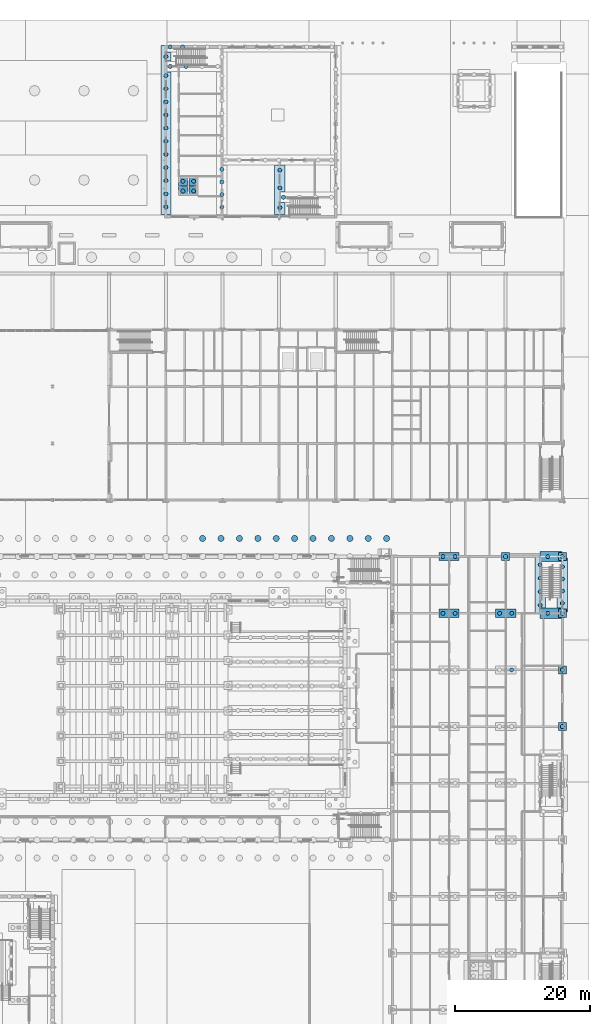
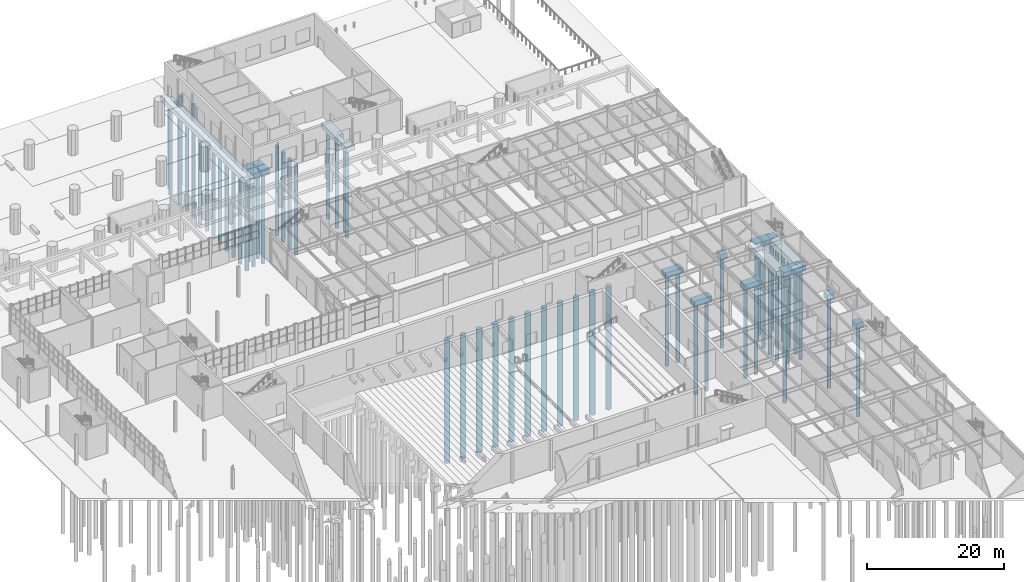
# One storey, part 15 of 127: 61 piles, 18 footings.
"""IFC4 building model written with IfcOpenShell, lengths in metres."""

from ifc_helpers import new_model, si_unit, direction, frame, origin, origin_2d, place, context, subcontext, project, spatial, polyline, circle, outline, extrude, material, layer, layer_set, material_profile, profile_set, type_object, element, save


model = new_model("IFC4")

# Units and contexts
model_context = context("Model", 3, precision=1e-05, world=origin(), true_north=direction((0.0, 1.0)))
body_context = subcontext(model_context, "Body", "Model", "MODEL_VIEW")
ifc_project = project(units=[si_unit("LENGTHUNIT", "METRE"), si_unit("AREAUNIT", "SQUARE_METRE"), si_unit("VOLUMEUNIT", "CUBIC_METRE"), si_unit("PLANEANGLEUNIT", "RADIAN"), si_unit("MASSUNIT", "GRAM", prefix="KILO")], contexts=[model_context])

# Site, building, storey
site_placement = place(None, origin())
site = spatial("IfcSite", under=ifc_project, at=site_placement, CompositionType="ELEMENT")
building_placement = place(site_placement, origin())
building = spatial("IfcBuilding", under=site, at=building_placement, Name="Ljudholm Concert House", CompositionType="ELEMENT")
storey_placement = place(building_placement, origin())
storey = spatial("IfcBuildingStorey", under=building, at=storey_placement, Name="L00", CompositionType="ELEMENT", Elevation=0.0)

# Piles
ifc_material_1 = material(Name="Concrete 5,000 psi", Category="concrete")
ifc_material_profile_1 = material_profile(ifc_material_1, circle(Radius=0.300048828125, at=origin_2d()), Name="AUGER-CAST PILE D600")
ifc_profile_set_1 = profile_set([ifc_material_profile_1], Name="Concrete 5,000 psi")
pile_type_1 = type_object("IfcPileType", Name="AUGER-CAST PILE D600", PredefinedType="BORED", material=ifc_profile_set_1)
for number, where, z_axis, x_axis, name in (
    (1, (103.89990234375, 88.0, -1.25), (0.0, 0.0, -1.0), (1.0, 0.0, 0.0), "Pile D600"),
    (2, (105.699951171875, 88.0, -1.25), (0.0, 0.0, -1.0), (1.0, 0.0, 0.0), "Pile D600"),
    (3, (103.89990234375, 96.39990234375, -1.25), (0.0, 0.0, -1.0), (1.0, 0.0, 0.0), "Pile D600"),
    (4, (105.699951171875, 96.39990234375, -1.25), (0.0, 0.0, -1.0), (1.0, 0.0, 0.0), "Pile D600"),
    (5, (114.10009765625, 79.60009765625, -1.25), (0.0, 0.0, -1.0), (1.0, 0.0, 0.0), "Pile D600"),
    (6, (112.300048828125, 88.0, -1.25), (0.0, 0.0, -1.0), (1.0, 0.0, 0.0), "Pile D600"),
    (7, (114.10009765625, 88.0, -1.25), (0.0, 0.0, -1.0), (1.0, 0.0, 0.0), "Pile D600"),
    (8, (113.199951171875, 96.39990234375, -1.25), (0.0, 0.0, -1.0), (1.0, 0.0, 0.0), "Pile D600"),
    (9, (121.60009765625, 71.199951171875, -1.25), (0.0, 0.0, -1.0), (1.0, 0.0, 0.0), "Pile D600"),
    (10, (121.60009765625, 79.60009765625, -1.25), (0.0, 0.0, -1.0), (1.0, 0.0, 0.0), "Pile D600"),
    (11, (121.60009765625, 88.0, -1.25), (0.0, 0.0, -1.0), (1.0, 0.0, 0.0), "Pile D600"),
    (12, (121.60009765625, 96.39990234375, -1.25), (0.0, 0.0, -1.0), (1.0, 0.0, 0.0), "Pile D600"),
    (13, (65.324951171875, 150.625, -2.89990234375), (0.0, 0.0, -1.0), (1.0, 0.0, 0.0), "Pile D600"),
    (14, (66.925048828125, 150.625, -2.89990234375), (0.0, 0.0, -1.0), (1.0, 0.0, 0.0), "Pile D600"),
    (15, (65.324951171875, 152.074951171875, -2.89990234375), (0.0, 0.0, -1.0), (1.0, 0.0, 0.0), "Pile D600"),
    (16, (66.925048828125, 152.074951171875, -2.89990234375), (0.0, 0.0, -1.0), (1.0, 0.0, 0.0), "Pile D600"),
    (17, (119.4375, 88.0, -1.14990234375), (0.0, 0.0, -1.0), (1.0, 0.0, 0.0), "Pile D600"),
    (18, (119.4375, 96.39990234375, -1.14990234375), (0.0, 0.0, -1.0), (1.0, 0.0, 0.0), "Pile D600"),
    (19, (63.449951171875, 169.10009765625, -1.31005859375), (0.0, 0.0, -1.0), (1.0, 0.0, 0.0), "Pile D600"),
    (20, (65.800048828125, 169.10009765625, -1.31005859375), (0.0, 0.0, -1.0), (1.0, 0.0, 0.0), "Pile D600"),
    (21, (80.25, 149.699951171875, -1.31005859375), (0.0, 0.0, -1.0), (1.0, 0.0, 0.0), "Pile D600"),
    (22, (63.449951171875, 172.0, -1.31005859375), (0.0, 0.0, -1.0), (1.0, 0.0, 0.0), "Pile D600"),
    (23, (65.28857421875, 172.0, -1.31005859375), (0.0, 0.0, -1.0), (1.0, 0.0, 0.0), "Pile D600"),
    (24, (118.324951171875, 89.199951171875, -1.14990234375), (0.0, 0.0, -1.0), (1.0, 0.0, 0.0), "Pile D600"),
    (25, (118.324951171875, 91.199951171875, -1.14990234375), (0.0, 0.0, -1.0), (1.0, 0.0, 0.0), "Pile D600"),
    (26, (118.324951171875, 93.199951171875, -1.14990234375), (0.0, 0.0, -1.0), (1.0, 0.0, 0.0), "Pile D600"),
    (27, (118.324951171875, 95.199951171875, -1.14990234375), (0.0, 0.0, -1.0), (1.0, 0.0, 0.0), "Pile D600"),
    (28, (121.60009765625, 89.5, -1.14990234375), (0.0, 0.0, -1.0), (1.0, 0.0, 0.0), "Pile D600"),
    (29, (121.60009765625, 91.300048828125, -1.14990234375), (0.0, 0.0, -1.0), (1.0, 0.0, 0.0), "Pile D600"),
    (30, (121.60009765625, 93.10009765625, -1.14990234375), (0.0, 0.0, -1.0), (1.0, 0.0, 0.0), "Pile D600"),
    (31, (121.60009765625, 94.89990234375, -1.14990234375), (0.0, 0.0, -1.0), (1.0, 0.0, 0.0), "Pile D600"),
    (32, (79.699951171875, 148.16259765625, -1.31005859375), (0.0, 0.0, -1.0), (1.0, 0.0, 0.0), "Pile D600"),
    (33, (79.699951171875, 151.094970703125, -1.31005859375), (0.0, 0.0, -1.0), (1.0, 0.0, 0.0), "Pile D600"),
    (34, (79.699951171875, 153.710693359375, -1.31005859375), (0.0, 0.0, -1.0), (1.0, 0.0, 0.0), "Pile D600"),
    (35, (71.10009765625, 148.239013671875, -1.31005859375), (0.0, 0.0, -1.0), (1.0, 0.0, 0.0), "Pile D600"),
    (36, (71.10009765625, 150.101318359375, -1.31005859375), (0.0, 0.0, -1.0), (1.0, 0.0, 0.0), "Pile D600"),
    (37, (71.10009765625, 151.96337890625, -1.31005859375), (0.0, 0.0, -1.0), (1.0, 0.0, 0.0), "Pile D600"),
    (38, (71.10009765625, 153.82568359375, -1.31005859375), (0.0, 0.0, -1.0), (1.0, 0.0, 0.0), "Pile D600"),
    (39, (62.800048828125, 148.263427734375, -1.31005859375), (0.0, 0.0, -1.0), (1.0, 0.0, 0.0), "Pile D600"),
    (40, (62.800048828125, 150.2119140625, -1.31005859375), (0.0, 0.0, -1.0), (1.0, 0.0, 0.0), "Pile D600"),
    (41, (62.800048828125, 152.160400390625, -1.31005859375), (0.0, 0.0, -1.0), (1.0, 0.0, 0.0), "Pile D600"),
    (42, (62.800048828125, 154.10888671875, -1.31005859375), (0.0, 0.0, -1.0), (1.0, 0.0, 0.0), "Pile D600"),
    (43, (62.800048828125, 156.057373046875, -1.31005859375), (0.0, 0.0, -1.0), (1.0, 0.0, 0.0), "Pile D600"),
    (44, (62.800048828125, 158.005859375, -1.31005859375), (0.0, 0.0, -1.0), (1.0, 0.0, 0.0), "Pile D600"),
    (45, (62.800048828125, 159.954345703125, -1.31005859375), (0.0, 0.0, -1.0), (1.0, 0.0, 0.0), "Pile D600"),
    (46, (62.800048828125, 161.90283203125, -1.31005859375), (0.0, 0.0, -1.0), (1.0, 0.0, 0.0), "Pile D600"),
    (47, (62.800048828125, 163.851318359375, -1.31005859375), (0.0, 0.0, -1.0), (1.0, 0.0, 0.0), "Pile D600"),
    (48, (62.800048828125, 165.7998046875, -1.31005859375), (0.0, 0.0, -1.0), (1.0, 0.0, 0.0), "Pile D600"),
    (49, (62.800048828125, 167.748291015625, -1.31005859375), (0.0, 0.0, -1.0), (1.0, 0.0, 0.0), "Pile D600"),
    (50, (62.800048828125, 170.550048828125, -1.31005859375), (0.0, 0.0, -1.0), (1.0, 0.0, 0.0), "Pile D600"),
):
    element("IfcPile", number, at=place(storey_placement, frame(where, z_axis=z_axis, x_axis=x_axis)), inside=storey, type_object=pile_type_1, Name=name, PredefinedType="BORED", context=body_context, shape_type="SweptSolid", body=[
        extrude(circle(Radius=0.300048828125, at=origin_2d()), origin(), (0.0, 0.0, 1.0), 16.0),
    ])
ifc_material_2 = material(Name="Concrete 5,000 psi", Category="concrete")
ifc_material_profile_2 = material_profile(ifc_material_2, circle(Radius=0.449951171875, at=origin_2d()), Name="AUGER-CAST PILE D900")
ifc_profile_set_2 = profile_set([ifc_material_profile_2], Name="Concrete 5,000 psi")
pile_type_2 = type_object("IfcPileType", Name="AUGER-CAST PILE D900", PredefinedType="BORED", material=ifc_profile_set_2)
for number, where, z_axis, x_axis, name in (
    (51, (68.25830078125, 99.10009765625, -1.699951171875), (0.0, 0.0, -1.0), (1.0, 0.0, 0.0), "Pile D900"),
    (52, (70.987548828125, 99.10009765625, -1.699951171875), (0.0, 0.0, -1.0), (1.0, 0.0, 0.0), "Pile D900"),
    (53, (73.716552734375, 99.10009765625, -1.699951171875), (0.0, 0.0, -1.0), (1.0, 0.0, 0.0), "Pile D900"),
    (54, (76.44580078125, 99.10009765625, -1.699951171875), (0.0, 0.0, -1.0), (1.0, 0.0, 0.0), "Pile D900"),
    (55, (79.175048828125, 99.10009765625, -1.699951171875), (0.0, 0.0, -1.0), (1.0, 0.0, 0.0), "Pile D900"),
    (56, (81.904052734375, 99.10009765625, -1.699951171875), (0.0, 0.0, -1.0), (1.0, 0.0, 0.0), "Pile D900"),
    (57, (84.63330078125, 99.10009765625, -1.699951171875), (0.0, 0.0, -1.0), (1.0, 0.0, 0.0), "Pile D900"),
    (58, (87.362548828125, 99.10009765625, -1.699951171875), (0.0, 0.0, -1.0), (1.0, 0.0, 0.0), "Pile D900"),
    (59, (90.091552734375, 99.10009765625, -1.699951171875), (0.0, 0.0, -1.0), (1.0, 0.0, 0.0), "Pile D900"),
    (60, (92.82080078125, 99.10009765625, -1.699951171875), (0.0, 0.0, -1.0), (1.0, 0.0, 0.0), "Pile D900"),
    (61, (95.550048828125, 99.10009765625, -1.699951171875), (0.0, 0.0, -1.0), (1.0, 0.0, 0.0), "Pile D900"),
):
    element("IfcPile", number, at=place(storey_placement, frame(where, z_axis=z_axis, x_axis=x_axis)), inside=storey, type_object=pile_type_2, Name=name, PredefinedType="BORED", context=body_context, shape_type="SweptSolid", body=[
        extrude(circle(Radius=0.449951171875, at=origin_2d()), origin(), (0.0, 0.0, 1.0), 22.0),
    ])

# Footings
ifc_material_3 = material(Name="Concrete 5,000 psi", Category="concrete")
ifc_layer_1 = layer(ifc_material_3, 1.0)
ifc_layer_set_1 = layer_set([ifc_layer_1], Name="Concrete 5,000 psi")
footing_type_1 = type_object("IfcFootingType", Name="RC PILE CAP 1200x1200x1000", PredefinedType="PILE_CAP", material=ifc_layer_set_1)
footing_1_placement = place(storey_placement, frame((0.0, 0.0, -1.25)))
element("IfcFooting", 62, at=footing_1_placement, inside=storey, type_object=footing_type_1, Name="Pile cap", PredefinedType="PILE_CAP", context=body_context, shape_type="SweptSolid", body=[
    extrude(outline(polyline([(112.60009765625, 96.989990234375), (112.60009765625, 95.81005859375), (112.600830078125, 95.80615234375), (112.60302734375, 95.802978515625), (112.606201171875, 95.80078125), (112.610107421875, 95.800048828125), (113.7900390625, 95.800048828125), (113.7939453125, 95.80078125), (113.797119140625, 95.802978515625), (113.79931640625, 95.80615234375), (113.800048828125, 95.81005859375), (113.800048828125, 96.989990234375), (113.79931640625, 96.993896484375), (113.797119140625, 96.9970703125), (113.7939453125, 96.999267578125), (113.7900390625, 97.0), (112.610107421875, 97.0), (112.606201171875, 96.999267578125), (112.60302734375, 96.9970703125), (112.600830078125, 96.993896484375), (112.60009765625, 96.989990234375)])), origin(), (0.0, 0.0, 1.0), 1.0),
])
footing_2_placement = place(storey_placement, frame((0.0, 0.0, -1.25)))
element("IfcFooting", 63, at=footing_2_placement, inside=storey, type_object=footing_type_1, Name="Pile cap", PredefinedType="PILE_CAP", context=body_context, shape_type="SweptSolid", body=[
    extrude(outline(polyline([(121.0, 71.7900390625), (121.0, 70.610107421875), (121.000732421875, 70.606201171875), (121.0029296875, 70.60302734375), (121.006103515625, 70.600830078125), (121.010009765625, 70.60009765625), (122.18994140625, 70.60009765625), (122.19384765625, 70.600830078125), (122.197021484375, 70.60302734375), (122.19921875, 70.606201171875), (122.199951171875, 70.610107421875), (122.199951171875, 71.7900390625), (122.19921875, 71.7939453125), (122.197021484375, 71.797119140625), (122.19384765625, 71.79931640625), (122.18994140625, 71.800048828125), (121.010009765625, 71.800048828125), (121.006103515625, 71.79931640625), (121.0029296875, 71.797119140625), (121.000732421875, 71.7939453125), (121.0, 71.7900390625)])), origin(), (0.0, 0.0, 1.0), 1.0),
])
footing_3_placement = place(storey_placement, frame((0.0, 0.0, -1.25)))
element("IfcFooting", 64, at=footing_3_placement, inside=storey, type_object=footing_type_1, Name="Pile cap", PredefinedType="PILE_CAP", context=body_context, shape_type="SweptSolid", body=[
    extrude(outline(polyline([(121.010009765625, 79.0), (122.18994140625, 79.0), (122.19384765625, 79.000732421875), (122.197021484375, 79.0029296875), (122.19921875, 79.006103515625), (122.199951171875, 79.010009765625), (122.199951171875, 80.18994140625), (122.19921875, 80.19384765625), (122.197021484375, 80.197021484375), (122.19384765625, 80.19921875), (122.18994140625, 80.199951171875), (121.010009765625, 80.199951171875), (121.006103515625, 80.19921875), (121.0029296875, 80.197021484375), (121.000732421875, 80.19384765625), (121.0, 80.18994140625), (121.0, 79.010009765625), (121.000732421875, 79.006103515625), (121.0029296875, 79.0029296875), (121.006103515625, 79.000732421875), (121.010009765625, 79.0)])), origin(), (0.0, 0.0, 1.0), 1.0),
])
footing_4_placement = place(storey_placement, frame((0.0, 0.0, -1.25)))
element("IfcFooting", 65, at=footing_4_placement, inside=storey, type_object=footing_type_1, Name="Pile cap", PredefinedType="PILE_CAP", context=body_context, shape_type="SweptSolid", body=[
    extrude(outline(polyline([(121.010009765625, 87.39990234375), (122.18994140625, 87.39990234375), (122.19384765625, 87.40087890625), (122.197021484375, 87.40283203125), (122.19921875, 87.40625), (122.199951171875, 87.409912109375), (122.199951171875, 88.590087890625), (122.19921875, 88.59375), (122.197021484375, 88.59716796875), (122.19384765625, 88.59912109375), (122.18994140625, 88.60009765625), (121.010009765625, 88.60009765625), (121.006103515625, 88.59912109375), (121.0029296875, 88.59716796875), (121.000732421875, 88.59375), (121.0, 88.590087890625), (121.0, 87.409912109375), (121.000732421875, 87.40625), (121.0029296875, 87.40283203125), (121.006103515625, 87.40087890625), (121.010009765625, 87.39990234375)])), origin(), (0.0, 0.0, 1.0), 1.0),
])
footing_5_placement = place(storey_placement, frame((0.0, 0.0, -1.25)))
element("IfcFooting", 66, at=footing_5_placement, inside=storey, type_object=footing_type_1, Name="Pile cap", PredefinedType="PILE_CAP", context=body_context, shape_type="SweptSolid", body=[
    extrude(outline(polyline([(121.0, 96.989990234375), (121.0, 95.81005859375), (121.000732421875, 95.80615234375), (121.0029296875, 95.802978515625), (121.006103515625, 95.80078125), (121.010009765625, 95.800048828125), (122.18994140625, 95.800048828125), (122.19384765625, 95.80078125), (122.197021484375, 95.802978515625), (122.19921875, 95.80615234375), (122.199951171875, 95.81005859375), (122.199951171875, 96.989990234375), (122.19921875, 96.993896484375), (122.197021484375, 96.9970703125), (122.19384765625, 96.999267578125), (122.18994140625, 97.0), (121.010009765625, 97.0), (121.006103515625, 96.999267578125), (121.0029296875, 96.9970703125), (121.000732421875, 96.993896484375), (121.0, 96.989990234375)])), origin(), (0.0, 0.0, 1.0), 1.0),
])
ifc_material_4 = material(Name="Concrete 5,000 psi", Category="concrete")
ifc_layer_2 = layer(ifc_material_4, 1.0)
ifc_layer_set_2 = layer_set([ifc_layer_2], Name="Concrete 5,000 psi")
footing_type_2 = type_object("IfcFootingType", Name="RC PILE CAP 1350x1350x1000", PredefinedType="PILE_CAP", material=ifc_layer_set_2)
footing_6_placement = place(storey_placement, frame((0.0, 0.0, -2.89990234375)))
element("IfcFooting", 67, at=footing_6_placement, inside=storey, type_object=footing_type_2, Name="Pile cap", PredefinedType="PILE_CAP", context=body_context, shape_type="SweptSolid", body=[
    extrude(outline(polyline([(64.659912109375, 149.949951171875), (65.989990234375, 149.949951171875), (65.993896484375, 149.95068359375), (65.9970703125, 149.952880859375), (65.999267578125, 149.9560546875), (66.0, 149.9599609375), (66.0, 151.2900390625), (65.999267578125, 151.2939453125), (65.9970703125, 151.297119140625), (65.993896484375, 151.29931640625), (65.989990234375, 151.300048828125), (64.659912109375, 151.300048828125), (64.65625, 151.29931640625), (64.65283203125, 151.297119140625), (64.65087890625, 151.2939453125), (64.64990234375, 151.2900390625), (64.64990234375, 149.9599609375), (64.65087890625, 149.9560546875), (64.65283203125, 149.952880859375), (64.65625, 149.95068359375), (64.659912109375, 149.949951171875)])), origin(), (0.0, 0.0, 1.0), 1.0),
])
footing_7_placement = place(storey_placement, frame((0.0, 0.0, -2.89990234375)))
element("IfcFooting", 68, at=footing_7_placement, inside=storey, type_object=footing_type_2, Name="Pile cap", PredefinedType="PILE_CAP", context=body_context, shape_type="SweptSolid", body=[
    extrude(outline(polyline([(66.260009765625, 149.949951171875), (67.590087890625, 149.949951171875), (67.59375, 149.95068359375), (67.59716796875, 149.952880859375), (67.59912109375, 149.9560546875), (67.60009765625, 149.9599609375), (67.60009765625, 151.2900390625), (67.59912109375, 151.2939453125), (67.59716796875, 151.297119140625), (67.59375, 151.29931640625), (67.590087890625, 151.300048828125), (66.260009765625, 151.300048828125), (66.256103515625, 151.29931640625), (66.2529296875, 151.297119140625), (66.250732421875, 151.2939453125), (66.25, 151.2900390625), (66.25, 149.9599609375), (66.250732421875, 149.9560546875), (66.2529296875, 149.952880859375), (66.256103515625, 149.95068359375), (66.260009765625, 149.949951171875)])), origin(), (0.0, 0.0, 1.0), 1.0),
])
footing_8_placement = place(storey_placement, frame((0.0, 0.0, -2.89990234375)))
element("IfcFooting", 69, at=footing_8_placement, inside=storey, type_object=footing_type_2, Name="Pile cap", PredefinedType="PILE_CAP", context=body_context, shape_type="SweptSolid", body=[
    extrude(outline(polyline([(64.659912109375, 151.39990234375), (65.989990234375, 151.39990234375), (65.993896484375, 151.40087890625), (65.9970703125, 151.40283203125), (65.999267578125, 151.40625), (66.0, 151.409912109375), (66.0, 152.739990234375), (65.999267578125, 152.743896484375), (65.9970703125, 152.7470703125), (65.993896484375, 152.749267578125), (65.989990234375, 152.75), (64.659912109375, 152.75), (64.65625, 152.749267578125), (64.65283203125, 152.7470703125), (64.65087890625, 152.743896484375), (64.64990234375, 152.739990234375), (64.64990234375, 151.409912109375), (64.65087890625, 151.40625), (64.65283203125, 151.40283203125), (64.65625, 151.40087890625), (64.659912109375, 151.39990234375)])), origin(), (0.0, 0.0, 1.0), 1.0),
])
footing_9_placement = place(storey_placement, frame((0.0, 0.0, -2.89990234375)))
element("IfcFooting", 70, at=footing_9_placement, inside=storey, type_object=footing_type_2, Name="Pile cap", PredefinedType="PILE_CAP", context=body_context, shape_type="SweptSolid", body=[
    extrude(outline(polyline([(66.260009765625, 151.39990234375), (67.590087890625, 151.39990234375), (67.59375, 151.40087890625), (67.59716796875, 151.40283203125), (67.59912109375, 151.40625), (67.60009765625, 151.409912109375), (67.60009765625, 152.739990234375), (67.59912109375, 152.743896484375), (67.59716796875, 152.7470703125), (67.59375, 152.749267578125), (67.590087890625, 152.75), (66.260009765625, 152.75), (66.256103515625, 152.749267578125), (66.2529296875, 152.7470703125), (66.250732421875, 152.743896484375), (66.25, 152.739990234375), (66.25, 151.409912109375), (66.250732421875, 151.40625), (66.2529296875, 151.40283203125), (66.256103515625, 151.40087890625), (66.260009765625, 151.39990234375)])), origin(), (0.0, 0.0, 1.0), 1.0),
])
ifc_material_5 = material(Name="Concrete 5,000 psi", Category="concrete")
ifc_layer_3 = layer(ifc_material_5, 1.0)
ifc_layer_set_3 = layer_set([ifc_layer_3], Name="Concrete 5,000 psi")
footing_type_3 = type_object("IfcFootingType", Name="RC PILE CAP 3000x1200x1000", PredefinedType="PILE_CAP", material=ifc_layer_set_3)
footing_10_placement = place(storey_placement, frame((0.0, 0.0, -1.25)))
element("IfcFooting", 71, at=footing_10_placement, inside=storey, type_object=footing_type_3, Name="Pile cap", PredefinedType="PILE_CAP", context=body_context, shape_type="SweptSolid", body=[
    extrude(outline(polyline([(103.31005859375, 87.39990234375), (106.2900390625, 87.39990234375), (106.2939453125, 87.40087890625), (106.29833984375, 87.404541015625), (106.300048828125, 87.409912109375), (106.300048828125, 88.590087890625), (106.29931640625, 88.59375), (106.295654296875, 88.598388671875), (106.2900390625, 88.60009765625), (103.31005859375, 88.60009765625), (103.30615234375, 88.59912109375), (103.3017578125, 88.595458984375), (103.300048828125, 88.590087890625), (103.300048828125, 87.409912109375), (103.30078125, 87.40625), (103.302978515625, 87.40283203125), (103.30615234375, 87.40087890625), (103.31005859375, 87.39990234375)])), origin(), (0.0, 0.0, 1.0), 1.0),
])
footing_11_placement = place(storey_placement, frame((0.0, 0.0, -1.25)))
element("IfcFooting", 72, at=footing_11_placement, inside=storey, type_object=footing_type_3, Name="Pile cap", PredefinedType="PILE_CAP", context=body_context, shape_type="SweptSolid", body=[
    extrude(outline(polyline([(103.300048828125, 96.989990234375), (103.300048828125, 95.81005859375), (103.3017578125, 95.804443359375), (103.30615234375, 95.80078125), (103.31005859375, 95.800048828125), (106.2900390625, 95.800048828125), (106.295654296875, 95.8017578125), (106.29931640625, 95.80615234375), (106.300048828125, 95.81005859375), (106.300048828125, 96.989990234375), (106.29833984375, 96.99560546875), (106.2939453125, 96.999267578125), (106.2900390625, 97.0), (103.31005859375, 97.0), (103.30615234375, 96.999267578125), (103.302978515625, 96.9970703125), (103.30078125, 96.993896484375), (103.300048828125, 96.989990234375)])), origin(), (0.0, 0.0, 1.0), 1.0),
])
footing_12_placement = place(storey_placement, frame((0.0, 0.0, -1.25)))
element("IfcFooting", 73, at=footing_12_placement, inside=storey, type_object=footing_type_3, Name="Pile cap", PredefinedType="PILE_CAP", context=body_context, shape_type="SweptSolid", body=[
    extrude(outline(polyline([(111.7099609375, 87.39990234375), (114.68994140625, 87.39990234375), (114.69384765625, 87.40087890625), (114.6982421875, 87.404541015625), (114.699951171875, 87.409912109375), (114.699951171875, 88.590087890625), (114.69921875, 88.59375), (114.695556640625, 88.598388671875), (114.68994140625, 88.60009765625), (111.7099609375, 88.60009765625), (111.7060546875, 88.59912109375), (111.70166015625, 88.595458984375), (111.699951171875, 88.590087890625), (111.699951171875, 87.409912109375), (111.70068359375, 87.40625), (111.702880859375, 87.40283203125), (111.7060546875, 87.40087890625), (111.7099609375, 87.39990234375)])), origin(), (0.0, 0.0, 1.0), 1.0),
])
ifc_material_6 = material(Name="Concrete 5,000 psi", Category="concrete")
ifc_layer_4 = layer(ifc_material_6, 0.89990234375)
ifc_layer_set_4 = layer_set([ifc_layer_4], Name="Concrete 5,000 psi")
footing_type_4 = type_object("IfcFootingType", Name="RC STRIP FOOTING 1500x900", PredefinedType="STRIP_FOOTING", material=ifc_layer_set_4)
footing_13_placement = place(storey_placement, frame((0.0, 0.0, -1.14990234375)))
element("IfcFooting", 74, at=footing_13_placement, inside=storey, type_object=footing_type_4, Name="Strip footing", PredefinedType="STRIP_FOOTING", context=body_context, shape_type="SweptSolid", body=[
    extrude(outline(polyline([(118.3349609375, 87.25), (121.581787109375, 87.25), (121.585693359375, 87.250732421875), (121.590087890625, 87.25439453125), (121.591796875, 87.260009765625), (121.591796875, 87.389892578125), (121.590087890625, 87.3955078125), (121.58740234375, 87.398193359375), (121.584716796875, 87.399658203125), (121.01025390625, 87.39990234375), (121.00439453125, 87.401611328125), (121.000732421875, 87.40625), (121.0, 87.41015625), (121.0, 88.58984375), (121.000732421875, 88.59375), (121.0029296875, 88.59716796875), (121.006103515625, 88.59912109375), (121.01025390625, 88.60009765625), (121.584716796875, 88.600341796875), (121.58740234375, 88.601806640625), (121.590087890625, 88.6044921875), (121.591796875, 88.610107421875), (121.591796875, 88.739990234375), (121.591064453125, 88.743896484375), (121.58740234375, 88.748291015625), (121.581787109375, 88.75), (118.3349609375, 88.75), (118.3310546875, 88.749267578125), (118.32666015625, 88.74560546875), (118.324951171875, 88.739990234375), (118.324951171875, 87.260009765625), (118.32568359375, 87.256103515625), (118.327880859375, 87.2529296875), (118.3310546875, 87.250732421875), (118.3349609375, 87.25)])), origin(), (0.0, 0.0, 1.0), 0.89990234375),
])
footing_14_placement = place(storey_placement, frame((0.0, 0.0, -1.14990234375)))
element("IfcFooting", 75, at=footing_14_placement, inside=storey, type_object=footing_type_4, Name="Strip footing", PredefinedType="STRIP_FOOTING", context=body_context, shape_type="SweptSolid", body=[
    extrude(outline(polyline([(118.3349609375, 95.64990234375), (121.581787109375, 95.64990234375), (121.585693359375, 95.65087890625), (121.590087890625, 95.654541015625), (121.591796875, 95.659912109375), (121.591796875, 95.7900390625), (121.590087890625, 95.795654296875), (121.58740234375, 95.79833984375), (121.584716796875, 95.799560546875), (121.01025390625, 95.800048828125), (121.00439453125, 95.8017578125), (121.000732421875, 95.80615234375), (121.0, 95.810302734375), (121.0, 96.98974609375), (121.000732421875, 96.993896484375), (121.0029296875, 96.9970703125), (121.006103515625, 96.999267578125), (121.01025390625, 97.0), (121.584716796875, 97.00048828125), (121.58740234375, 97.001708984375), (121.590087890625, 97.00439453125), (121.591796875, 97.010009765625), (121.591796875, 97.139892578125), (121.591064453125, 97.143798828125), (121.58740234375, 97.148193359375), (121.581787109375, 97.14990234375), (118.3349609375, 97.14990234375), (118.3310546875, 97.149169921875), (118.32666015625, 97.1455078125), (118.324951171875, 97.139892578125), (118.324951171875, 95.659912109375), (118.32568359375, 95.65625), (118.327880859375, 95.65283203125), (118.3310546875, 95.65087890625), (118.3349609375, 95.64990234375)])), origin(), (0.0, 0.0, 1.0), 0.89990234375),
])
footing_15_placement = place(storey_placement, frame((0.0, 0.0, -1.14990234375)))
element("IfcFooting", 76, at=footing_15_placement, inside=storey, type_object=footing_type_4, Name="Strip footing", PredefinedType="STRIP_FOOTING", context=body_context, shape_type="SweptSolid", body=[
    extrude(outline(polyline([(117.5849609375, 88.0), (118.31494140625, 88.0), (118.31982421875, 88.001220703125), (118.32373046875, 88.00537109375), (118.324951171875, 88.010009765625), (118.324951171875, 88.73974609375), (118.32568359375, 88.743896484375), (118.327880859375, 88.7470703125), (118.331298828125, 88.749267578125), (118.335205078125, 88.75), (119.06494140625, 88.75), (119.06884765625, 88.750732421875), (119.072021484375, 88.7529296875), (119.07373046875, 88.75537109375), (119.074951171875, 88.759033203125), (119.074951171875, 95.640869140625), (119.07373046875, 95.644775390625), (119.072021484375, 95.64697265625), (119.06884765625, 95.649169921875), (119.06494140625, 95.64990234375), (118.335205078125, 95.64990234375), (118.331298828125, 95.65087890625), (118.327880859375, 95.65283203125), (118.32568359375, 95.65625), (118.324951171875, 95.66015625), (118.324951171875, 96.389892578125), (118.32421875, 96.393798828125), (118.322021484375, 96.39697265625), (118.31982421875, 96.39892578125), (118.31591796875, 96.39990234375), (117.5849609375, 96.39990234375), (117.5810546875, 96.399169921875), (117.577880859375, 96.39697265625), (117.576171875, 96.394775390625), (117.574951171875, 96.390869140625), (117.574951171875, 88.010009765625), (117.57568359375, 88.006103515625), (117.577880859375, 88.0029296875), (117.5810546875, 88.000732421875), (117.5849609375, 88.0)])), origin(), (0.0, 0.0, 1.0), 0.89990234375),
])
footing_16_placement = place(storey_placement, frame((0.0, 0.0, -1.14990234375)))
element("IfcFooting", 77, at=footing_16_placement, inside=storey, type_object=footing_type_4, Name="Strip footing", PredefinedType="STRIP_FOOTING", context=body_context, shape_type="SweptSolid", body=[
    extrude(outline(polyline([(120.860107421875, 88.800048828125), (121.6337890625, 88.7998046875), (121.637451171875, 88.79833984375), (121.6396484375, 88.79638671875), (121.641845703125, 88.791015625), (121.641845703125, 88.610107421875), (121.6435546875, 88.6044921875), (121.64794921875, 88.600830078125), (121.65185546875, 88.60009765625), (122.189697265625, 88.60009765625), (122.19384765625, 88.59912109375), (122.1982421875, 88.595458984375), (122.199951171875, 88.58984375), (122.199951171875, 88.19677734375), (122.20068359375, 88.19287109375), (122.204345703125, 88.1884765625), (122.2099609375, 88.186767578125), (122.340087890625, 88.186767578125), (122.345458984375, 88.1884765625), (122.34912109375, 88.19287109375), (122.35009765625, 88.19677734375), (122.35009765625, 96.203369140625), (122.34912109375, 96.20703125), (122.34765625, 96.209716796875), (122.3447265625, 96.212158203125), (122.342041015625, 96.213134765625), (122.2099609375, 96.21337890625), (122.204345703125, 96.211669921875), (122.20068359375, 96.20703125), (122.199951171875, 96.203369140625), (122.199951171875, 95.810302734375), (122.1982421875, 95.804443359375), (122.19384765625, 95.80078125), (122.189697265625, 95.800048828125), (121.65185546875, 95.800048828125), (121.64794921875, 95.79931640625), (121.6435546875, 95.795654296875), (121.641845703125, 95.7900390625), (121.641845703125, 95.609130859375), (121.6396484375, 95.603759765625), (121.637451171875, 95.601806640625), (121.6337890625, 95.60009765625), (120.860107421875, 95.60009765625), (120.856201171875, 95.59912109375), (120.853759765625, 95.59765625), (120.85107421875, 95.5947265625), (120.85009765625, 95.592041015625), (120.85009765625, 88.81005859375), (120.850830078125, 88.80615234375), (120.85302734375, 88.802978515625), (120.856201171875, 88.80078125), (120.860107421875, 88.800048828125)])), origin(), (0.0, 0.0, 1.0), 0.89990234375),
])
footing_17_placement = place(storey_placement, frame((0.0, 0.0, -1.31005859375)))
element("IfcFooting", 78, at=footing_17_placement, inside=storey, type_object=footing_type_4, Name="Strip footing", PredefinedType="STRIP_FOOTING", context=body_context, shape_type="SweptSolid", body=[
    extrude(outline(polyline([(78.949951171875, 154.43994140625), (78.9501953125, 147.157958984375), (78.951171875, 147.1552734375), (78.95361328125, 147.15234375), (78.95703125, 147.150390625), (78.9599609375, 147.14990234375), (80.44189453125, 147.150146484375), (80.44482421875, 147.151123046875), (80.44775390625, 147.153564453125), (80.44921875, 147.15625), (80.449951171875, 147.159912109375), (80.44970703125, 148.891845703125), (80.44873046875, 148.894775390625), (80.4462890625, 148.897705078125), (80.44287109375, 148.899658203125), (80.43994140625, 148.89990234375), (79.76025390625, 148.89990234375), (79.75439453125, 148.901611328125), (79.750732421875, 148.90625), (79.75, 148.91015625), (79.75, 150.48974609375), (79.750732421875, 150.493896484375), (79.7529296875, 150.4970703125), (79.756103515625, 150.499267578125), (79.76025390625, 150.5), (80.43994140625, 150.5), (80.44287109375, 150.50048828125), (80.4462890625, 150.502197265625), (80.44873046875, 150.50537109375), (80.44970703125, 150.508056640625), (80.44970703125, 154.44189453125), (80.44873046875, 154.44482421875), (80.4462890625, 154.44775390625), (80.44287109375, 154.449462890625), (80.43994140625, 154.449951171875), (78.9599609375, 154.449951171875), (78.9560546875, 154.44921875), (78.952880859375, 154.447021484375), (78.95068359375, 154.44384765625), (78.949951171875, 154.43994140625)])), origin(), (0.0, 0.0, 1.0), 0.900146484375),
])
footing_18_placement = place(storey_placement, frame((0.0, 0.0, -1.31005859375)))
element("IfcFooting", 79, at=footing_18_placement, inside=storey, type_object=footing_type_4, Name="Strip footing", PredefinedType="STRIP_FOOTING", context=body_context, shape_type="SweptSolid", body=[
    extrude(outline(polyline([(62.050048828125, 172.18994140625), (62.050048828125, 147.158935546875), (62.05126953125, 147.1552734375), (62.0537109375, 147.15234375), (62.05712890625, 147.150390625), (62.06005859375, 147.14990234375), (63.541015625, 147.150146484375), (63.544677734375, 147.151123046875), (63.5478515625, 147.153564453125), (63.549560546875, 147.156982421875), (63.550048828125, 147.159912109375), (63.550048828125, 168.2900390625), (63.54931640625, 168.2939453125), (63.547119140625, 168.297119140625), (63.5439453125, 168.29931640625), (63.5400390625, 168.300048828125), (62.960205078125, 168.300048828125), (62.954345703125, 168.3017578125), (62.95068359375, 168.30615234375), (62.949951171875, 168.310302734375), (62.949951171875, 169.8896484375), (62.95068359375, 169.893798828125), (62.952880859375, 169.89697265625), (62.956298828125, 169.899169921875), (62.960205078125, 169.89990234375), (63.5400390625, 169.89990234375), (63.545654296875, 169.901611328125), (63.54931640625, 169.90625), (63.550048828125, 169.909912109375), (63.550048828125, 171.19091796875), (63.548828125, 171.19482421875), (63.54638671875, 171.19775390625), (63.54296875, 171.199462890625), (63.5400390625, 171.199951171875), (62.960205078125, 171.199951171875), (62.955322265625, 171.201171875), (62.95166015625, 171.204345703125), (62.949951171875, 171.210205078125), (62.949951171875, 172.18994140625), (62.94873046875, 172.19482421875), (62.945556640625, 172.1982421875), (62.93994140625, 172.199951171875), (62.06005859375, 172.199951171875), (62.05615234375, 172.19921875), (62.052978515625, 172.197021484375), (62.05078125, 172.19384765625), (62.050048828125, 172.18994140625)])), origin(), (0.0, 0.0, 1.0), 0.900146484375),
])

save(model, "model.ifc")
